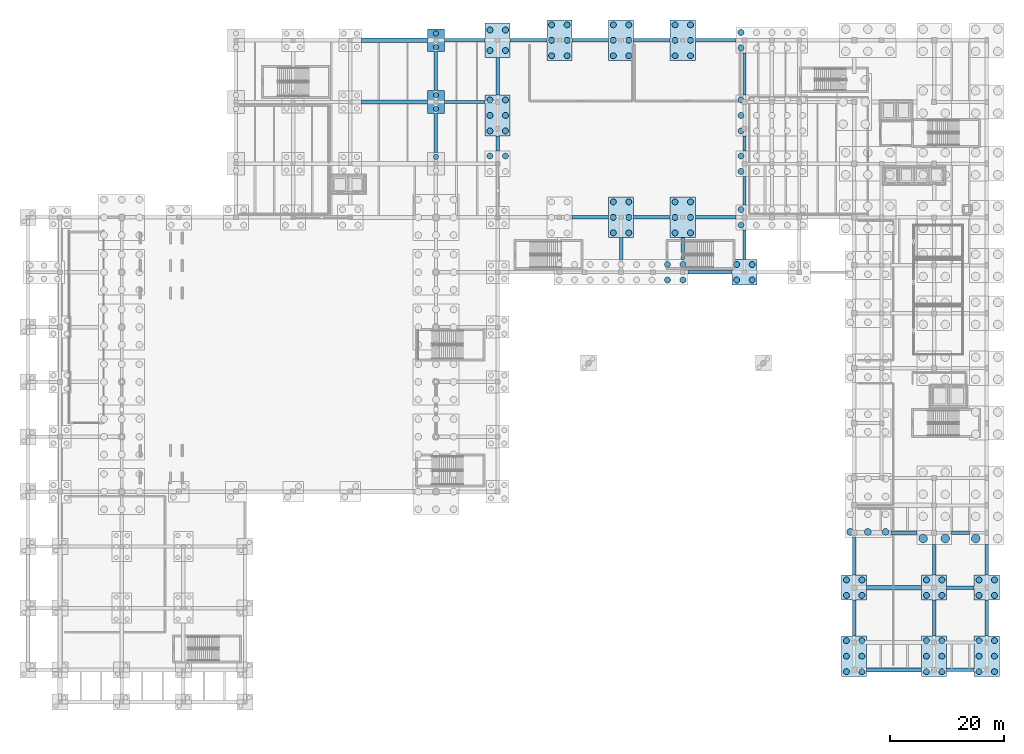
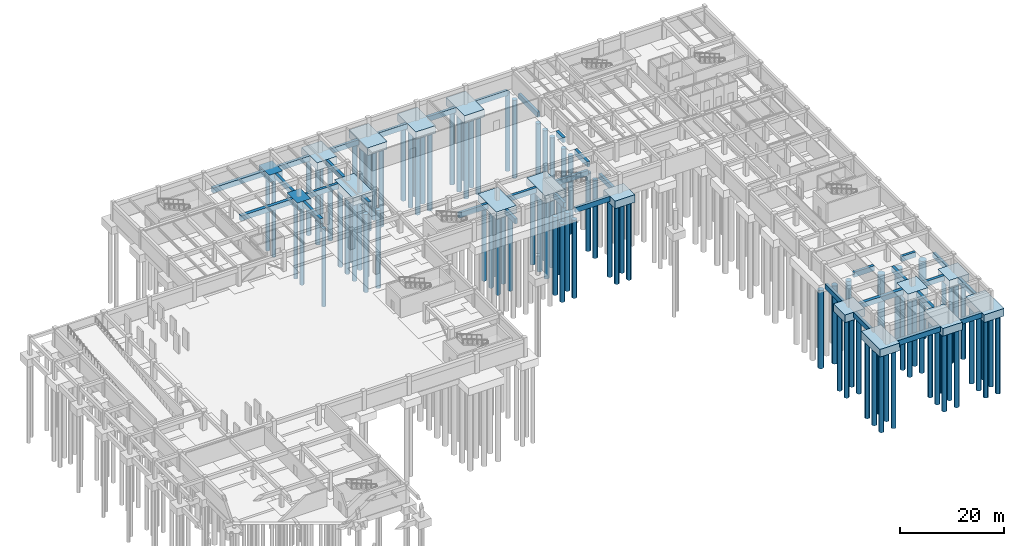
# One storey, part 4 of 33: 100 piles, 50 footings.
"""IFC4 building model written with IfcOpenShell, lengths in metres."""

from ifc_helpers import new_model, si_unit, direction, frame, origin, origin_2d, place, context, subcontext, project, spatial, rectangle, circle, extrude, material, material_profile, profile_set, type_object, element, save


model = new_model("IFC4")

# Units and contexts
model_context = context("Model", 3, precision=1e-05, world=origin(), true_north=direction((0.0, 1.0)))
body_context = subcontext(model_context, "Body", "Model", "MODEL_VIEW")
ifc_project = project(units=[si_unit("LENGTHUNIT", "METRE"), si_unit("AREAUNIT", "SQUARE_METRE"), si_unit("VOLUMEUNIT", "CUBIC_METRE"), si_unit("PLANEANGLEUNIT", "RADIAN"), si_unit("MASSUNIT", "GRAM", prefix="KILO")], contexts=[model_context])

# Site, building, storey
site_placement = place(None, origin())
site = spatial("IfcSite", under=ifc_project, at=site_placement, CompositionType="ELEMENT")
building_placement = place(site_placement, origin())
building = spatial("IfcBuilding", under=site, at=building_placement, Name="Veldera Park Congress Hotel", CompositionType="ELEMENT")
storey_placement = place(building_placement, frame((0.0, 0.0, -4.5)))
storey = spatial("IfcBuildingStorey", under=building, at=storey_placement, Name="B1", CompositionType="ELEMENT", Elevation=-4.5)

# Footings
ifc_material = material(Name="Concrete f'c 40 MPa (5,800 psi)", Category="concrete")
footing_type_1 = type_object("IfcFootingType", Name="FB-600X1200", PredefinedType="FOOTING_BEAM", material=ifc_material)
for number, where, z_axis, x_axis, name in (
    (1, (79.39990234375, -52.199951171875, -1.2001953125), (0.0, 0.0, 1.0), (1.0, 0.0, 0.0), "Foundation Tie Beam FB-600X1200 9"),
    (2, (79.39990234375, -37.800048828125, -1.2001953125), (0.0, 0.0, 1.0), (1.0, 0.0, 0.0), "Foundation Tie Beam FB-600X1200 15"),
):
    element("IfcFooting", number, at=place(storey_placement, frame(where, z_axis=z_axis, x_axis=x_axis)), inside=storey, type_object=footing_type_1, Name=name, PredefinedType="FOOTING_BEAM", context=body_context, shape_type="SweptSolid", body=[
        extrude(rectangle(XDim=4.800048828125, YDim=0.60009765625, at=origin_2d()), origin(), (0.0, 0.0, 1.0), 1.199951171875),
    ])
footing_1_placement = place(storey_placement, frame((69.5, -28.199951171875, -1.2001953125), z_axis=(0.0, 0.0, 1.0), x_axis=(1.0, 0.0, 0.0)))
element("IfcFooting", 3, at=footing_1_placement, inside=storey, type_object=footing_type_1, Name="Foundation Tie Beam FB-600X1200 20", PredefinedType="FOOTING_BEAM", context=body_context, shape_type="SweptSolid", body=[
    extrude(rectangle(XDim=4.550048828125, YDim=0.60009765625, at=origin_2d()), origin(), (0.0, 0.0, 1.0), 1.199951171875),
])
footing_2_placement = place(storey_placement, frame((79.39990234375, -28.199951171875, -1.2001953125), z_axis=(0.0, 0.0, 1.0), x_axis=(1.0, 0.0, 0.0)))
element("IfcFooting", 4, at=footing_2_placement, inside=storey, type_object=footing_type_1, Name="Foundation Tie Beam FB-600X1200 21", PredefinedType="FOOTING_BEAM", context=body_context, shape_type="SweptSolid", body=[
    extrude(rectangle(XDim=3.14990234375, YDim=0.60009765625, at=origin_2d()), origin(), (0.0, 0.0, 1.0), 1.199951171875),
])
footing_3_placement = place(storey_placement, frame((35.550048828125, 17.39990234375, -1.2001953125), z_axis=(0.0, 0.0, 1.0), x_axis=(1.0, 0.0, 0.0)))
element("IfcFooting", 5, at=footing_3_placement, inside=storey, type_object=footing_type_1, Name="Foundation Tie Beam FB-600X1200 46", PredefinedType="FOOTING_BEAM", context=body_context, shape_type="SweptSolid", body=[
    extrude(rectangle(XDim=7.699951171875, YDim=0.60009765625, at=origin_2d()), origin(), (0.0, 0.0, 1.0), 1.199951171875),
])
for number, where, z_axis, x_axis, name in (
    (6, (14.60009765625, 27.0, -1.2001953125), (0.0, 0.0, 1.0), (1.0, 0.0, 0.0), "Foundation Tie Beam FB-600X1200 59"),
    (7, (25.39990234375, 27.0, -1.2001953125), (0.0, 0.0, 1.0), (1.0, 0.0, 0.0), "Foundation Tie Beam FB-600X1200 60"),
):
    element("IfcFooting", number, at=place(storey_placement, frame(where, z_axis=z_axis, x_axis=x_axis)), inside=storey, type_object=footing_type_1, Name=name, PredefinedType="FOOTING_BEAM", context=body_context, shape_type="SweptSolid", body=[
        extrude(rectangle(XDim=6.39990234375, YDim=0.60009765625, at=origin_2d()), origin(), (0.0, 0.0, 1.0), 1.199951171875),
    ])
footing_4_placement = place(storey_placement, frame((36.5625, 27.0, -1.2001953125), z_axis=(0.0, 0.0, 1.0), x_axis=(1.0, 0.0, 0.0)))
element("IfcFooting", 8, at=footing_4_placement, inside=storey, type_object=footing_type_1, Name="Foundation Tie Beam FB-600X1200 61", PredefinedType="FOOTING_BEAM", context=body_context, shape_type="SweptSolid", body=[
    extrude(rectangle(XDim=7.125, YDim=0.60009765625, at=origin_2d()), origin(), (0.0, 0.0, 1.0), 1.199951171875),
])
for number, where, z_axis, x_axis, name in (
    (9, (-7.35009765625, 47.199951171875, -1.2001953125), (0.0, 0.0, 1.0), (1.0, 0.0, 0.0), "Foundation Tie Beam FB-600X1200 75"),
    (10, (-7.35009765625, 58.0, -1.2001953125), (0.0, 0.0, 1.0), (1.0, 0.0, 0.0), "Foundation Tie Beam FB-600X1200 82"),
):
    element("IfcFooting", number, at=place(storey_placement, frame(where, z_axis=z_axis, x_axis=x_axis)), inside=storey, type_object=footing_type_1, Name=name, PredefinedType="FOOTING_BEAM", context=body_context, shape_type="SweptSolid", body=[
        extrude(rectangle(XDim=7.10009765625, YDim=0.60009765625, at=origin_2d()), origin(), (0.0, 0.0, 1.0), 1.199951171875),
    ])
for number, where, z_axis, x_axis, name in (
    (11, (3.800048828125, 58.0, -1.2001953125), (0.0, 0.0, 1.0), (1.0, 0.0, 0.0), "Foundation Tie Beam FB-600X1200 83"),
    (12, (14.60009765625, 58.0, -1.2001953125), (0.0, 0.0, 1.0), (1.0, 0.0, 0.0), "Foundation Tie Beam FB-600X1200 84"),
    (13, (25.39990234375, 58.0, -1.2001953125), (0.0, 0.0, 1.0), (1.0, 0.0, 0.0), "Foundation Tie Beam FB-600X1200 85"),
):
    element("IfcFooting", number, at=place(storey_placement, frame(where, z_axis=z_axis, x_axis=x_axis)), inside=storey, type_object=footing_type_1, Name=name, PredefinedType="FOOTING_BEAM", context=body_context, shape_type="SweptSolid", body=[
        extrude(rectangle(XDim=6.39990234375, YDim=0.60009765625, at=origin_2d()), origin(), (0.0, 0.0, 1.0), 1.199951171875),
    ])
footing_5_placement = place(storey_placement, frame((36.5625, 58.0, -1.2001953125), z_axis=(0.0, 0.0, 1.0), x_axis=(1.0, 0.0, 0.0)))
element("IfcFooting", 14, at=footing_5_placement, inside=storey, type_object=footing_type_1, Name="Foundation Tie Beam FB-600X1200 86", PredefinedType="FOOTING_BEAM", context=body_context, shape_type="SweptSolid", body=[
    extrude(rectangle(XDim=7.125, YDim=0.60009765625, at=origin_2d()), origin(), (0.0, 0.0, 1.0), 1.199951171875),
])
for number, where, z_axis, x_axis, name in (
    (15, (-12.39990234375, 41.800048828125, -1.2001953125), (0.0, 0.0, 1.0), (0.0, 1.0, 0.0), "Foundation Tie Beam FB-600X1200 118"),
    (16, (-12.39990234375, 52.60009765625, -1.2001953125), (0.0, 0.0, 1.0), (0.0, 1.0, 0.0), "Foundation Tie Beam FB-600X1200 119"),
):
    element("IfcFooting", number, at=place(storey_placement, frame(where, z_axis=z_axis, x_axis=x_axis)), inside=storey, type_object=footing_type_1, Name=name, PredefinedType="FOOTING_BEAM", context=body_context, shape_type="SweptSolid", body=[
        extrude(rectangle(XDim=6.800048828125, YDim=0.60009765625, at=origin_2d()), origin(), (0.0, 0.0, 1.0), 1.199951171875),
    ])
footing_6_placement = place(storey_placement, frame((-1.60009765625, 39.9375, -1.2001953125), z_axis=(0.0, 0.0, 1.0), x_axis=(0.0, 1.0, 0.0)))
element("IfcFooting", 17, at=footing_6_placement, inside=storey, type_object=footing_type_1, Name="Foundation Tie Beam FB-600X1200 126", PredefinedType="FOOTING_BEAM", context=body_context, shape_type="SweptSolid", body=[
    extrude(rectangle(XDim=2.675048828125, YDim=0.60009765625, at=origin_2d()), origin(), (0.0, 0.0, 1.0), 1.199951171875),
])
footing_7_placement = place(storey_placement, frame((-1.60009765625, 51.71240234375, -1.2001953125), z_axis=(0.0, 0.0, 1.0), x_axis=(0.0, 1.0, 0.0)))
element("IfcFooting", 18, at=footing_7_placement, inside=storey, type_object=footing_type_1, Name="Foundation Tie Beam FB-600X1200 127", PredefinedType="FOOTING_BEAM", context=body_context, shape_type="SweptSolid", body=[
    extrude(rectangle(XDim=6.574951171875, YDim=0.60009765625, at=origin_2d()), origin(), (0.0, 0.0, 1.0), 1.199951171875),
])
for number, where, z_axis, x_axis, name in (
    (19, (20.0, 21.52490234375, -1.2001953125), (0.0, 0.0, 1.0), (0.0, 1.0, 0.0), "Foundation Tie Beam FB-600X1200 129"),
    (20, (30.800048828125, 21.52490234375, -1.2001953125), (0.0, 0.0, 1.0), (0.0, 1.0, 0.0), "Foundation Tie Beam FB-600X1200 130"),
):
    element("IfcFooting", number, at=place(storey_placement, frame(where, z_axis=z_axis, x_axis=x_axis)), inside=storey, type_object=footing_type_1, Name=name, PredefinedType="FOOTING_BEAM", context=body_context, shape_type="SweptSolid", body=[
        extrude(rectangle(XDim=3.85009765625, YDim=0.60009765625, at=origin_2d()), origin(), (0.0, 0.0, 1.0), 1.199951171875),
    ])
footing_8_placement = place(storey_placement, frame((41.60009765625, 22.199951171875, -1.2001953125), z_axis=(0.0, 0.0, 1.0), x_axis=(0.0, 1.0, 0.0)))
element("IfcFooting", 21, at=footing_8_placement, inside=storey, type_object=footing_type_1, Name="Foundation Tie Beam FB-600X1200 131", PredefinedType="FOOTING_BEAM", context=body_context, shape_type="SweptSolid", body=[
    extrude(rectangle(XDim=5.199951171875, YDim=0.60009765625, at=origin_2d()), origin(), (0.0, 0.0, 1.0), 1.199951171875),
])
footing_9_placement = place(storey_placement, frame((41.60009765625, 31.699951171875, -1.2001953125), z_axis=(0.0, 0.0, 1.0), x_axis=(0.0, 1.0, 0.0)))
element("IfcFooting", 22, at=footing_9_placement, inside=storey, type_object=footing_type_1, Name="Foundation Tie Beam FB-600X1200 132", PredefinedType="FOOTING_BEAM", context=body_context, shape_type="SweptSolid", body=[
    extrude(rectangle(XDim=5.0, YDim=0.60009765625, at=origin_2d()), origin(), (0.0, 0.0, 1.0), 1.199951171875),
])
footing_10_placement = place(storey_placement, frame((41.60009765625, 39.9375, -1.2001953125), z_axis=(0.0, 0.0, 1.0), x_axis=(0.0, 1.0, 0.0)))
element("IfcFooting", 23, at=footing_10_placement, inside=storey, type_object=footing_type_1, Name="Foundation Tie Beam FB-600X1200 133", PredefinedType="FOOTING_BEAM", context=body_context, shape_type="SweptSolid", body=[
    extrude(rectangle(XDim=2.675048828125, YDim=0.60009765625, at=origin_2d()), origin(), (0.0, 0.0, 1.0), 1.199951171875),
])
footing_11_placement = place(storey_placement, frame((41.60009765625, 52.112548828125, -1.2001953125), z_axis=(0.0, 0.0, 1.0), x_axis=(0.0, 1.0, 0.0)))
element("IfcFooting", 24, at=footing_11_placement, inside=storey, type_object=footing_type_1, Name="Foundation Tie Beam FB-600X1200 134", PredefinedType="FOOTING_BEAM", context=body_context, shape_type="SweptSolid", body=[
    extrude(rectangle(XDim=7.375, YDim=0.60009765625, at=origin_2d()), origin(), (0.0, 0.0, 1.0), 1.199951171875),
])
footing_12_placement = place(storey_placement, frame((60.800048828125, -43.112548828125, -1.2001953125), z_axis=(0.0, 0.0, 1.0), x_axis=(0.0, 1.0, 0.0)))
element("IfcFooting", 25, at=footing_12_placement, inside=storey, type_object=footing_type_1, Name="Foundation Tie Beam FB-600X1200 136", PredefinedType="FOOTING_BEAM", context=body_context, shape_type="SweptSolid", body=[
    extrude(rectangle(XDim=6.22509765625, YDim=0.60009765625, at=origin_2d()), origin(), (0.0, 0.0, 1.0), 1.199951171875),
])
footing_13_placement = place(storey_placement, frame((60.800048828125, -32.300048828125, -1.2001953125), z_axis=(0.0, 0.0, 1.0), x_axis=(0.0, 1.0, 0.0)))
element("IfcFooting", 26, at=footing_13_placement, inside=storey, type_object=footing_type_1, Name="Foundation Tie Beam FB-600X1200 137", PredefinedType="FOOTING_BEAM", context=body_context, shape_type="SweptSolid", body=[
    extrude(rectangle(XDim=6.60009765625, YDim=0.60009765625, at=origin_2d()), origin(), (0.0, 0.0, 1.0), 1.199951171875),
])
footing_14_placement = place(storey_placement, frame((74.800048828125, -43.112548828125, -1.2001953125), z_axis=(0.0, 0.0, 1.0), x_axis=(0.0, 1.0, 0.0)))
element("IfcFooting", 27, at=footing_14_placement, inside=storey, type_object=footing_type_1, Name="Foundation Tie Beam FB-600X1200 146", PredefinedType="FOOTING_BEAM", context=body_context, shape_type="SweptSolid", body=[
    extrude(rectangle(XDim=6.22509765625, YDim=0.60009765625, at=origin_2d()), origin(), (0.0, 0.0, 1.0), 1.199951171875),
])
footing_15_placement = place(storey_placement, frame((74.800048828125, -32.9375, -1.2001953125), z_axis=(0.0, 0.0, 1.0), x_axis=(0.0, 1.0, 0.0)))
element("IfcFooting", 28, at=footing_15_placement, inside=storey, type_object=footing_type_1, Name="Foundation Tie Beam FB-600X1200 147", PredefinedType="FOOTING_BEAM", context=body_context, shape_type="SweptSolid", body=[
    extrude(rectangle(XDim=5.324951171875, YDim=0.60009765625, at=origin_2d()), origin(), (0.0, 0.0, 1.0), 1.199951171875),
])
footing_16_placement = place(storey_placement, frame((84.0, -43.112548828125, -1.2001953125), z_axis=(0.0, 0.0, 1.0), x_axis=(0.0, 1.0, 0.0)))
element("IfcFooting", 29, at=footing_16_placement, inside=storey, type_object=footing_type_1, Name="Foundation Tie Beam FB-600X1200 154", PredefinedType="FOOTING_BEAM", context=body_context, shape_type="SweptSolid", body=[
    extrude(rectangle(XDim=6.22509765625, YDim=0.60009765625, at=origin_2d()), origin(), (0.0, 0.0, 1.0), 1.199951171875),
])
footing_17_placement = place(storey_placement, frame((84.0, -32.9375, -1.2001953125), z_axis=(0.0, 0.0, 1.0), x_axis=(0.0, 1.0, 0.0)))
element("IfcFooting", 30, at=footing_17_placement, inside=storey, type_object=footing_type_1, Name="Foundation Tie Beam FB-600X1200 155", PredefinedType="FOOTING_BEAM", context=body_context, shape_type="SweptSolid", body=[
    extrude(rectangle(XDim=5.324951171875, YDim=0.60009765625, at=origin_2d()), origin(), (0.0, 0.0, 1.0), 1.199951171875),
])
footing_type_2 = type_object("IfcFootingType", Name="FB-750X1200", PredefinedType="FOOTING_BEAM", material=ifc_material)
for number, where, z_axis, x_axis, name in (
    (31, (67.800048828125, -52.199951171875, -1.2001953125), (0.0, 0.0, 1.0), (1.0, 0.0, 0.0), "Foundation Tie Beam FB-750X1200 8"),
    (32, (67.800048828125, -37.800048828125, -1.2001953125), (0.0, 0.0, 1.0), (1.0, 0.0, 0.0), "Foundation Tie Beam FB-750X1200 14"),
):
    element("IfcFooting", number, at=place(storey_placement, frame(where, z_axis=z_axis, x_axis=x_axis)), inside=storey, type_object=footing_type_2, Name=name, PredefinedType="FOOTING_BEAM", context=body_context, shape_type="SweptSolid", body=[
        extrude(rectangle(XDim=9.60009765625, YDim=0.75, at=origin_2d()), origin(), (0.0, 0.0, 1.0), 1.199951171875),
    ])
for number, where, z_axis, x_axis, name in (
    (33, (-19.675048828125, 47.199951171875, -1.2001953125), (0.0, 0.0, 1.0), (1.0, 0.0, 0.0), "Foundation Tie Beam FB-750X1200 74"),
    (34, (-19.675048828125, 58.0, -1.2001953125), (0.0, 0.0, 1.0), (1.0, 0.0, 0.0), "Foundation Tie Beam FB-750X1200 81"),
):
    element("IfcFooting", number, at=place(storey_placement, frame(where, z_axis=z_axis, x_axis=x_axis)), inside=storey, type_object=footing_type_2, Name=name, PredefinedType="FOOTING_BEAM", context=body_context, shape_type="SweptSolid", body=[
        extrude(rectangle(XDim=11.550048828125, YDim=0.75, at=origin_2d()), origin(), (0.0, 0.0, 1.0), 1.199951171875),
    ])
footing_type_3 = type_object("IfcFootingType", Name="PC-300X400", PredefinedType="PILE_CAP", material=ifc_material)
for number, where, z_axis, x_axis, name in (
    (35, (-12.39990234375, 47.199951171875, -1.7998046875), (0.0, 0.0, 1.0), (1.0, 0.0, 0.0), "Pile Cap PC-300X400 at (-12.4, 47.2)"),
    (36, (-12.39990234375, 58.0, -1.7998046875), (0.0, 0.0, 1.0), (1.0, 0.0, 0.0), "Pile Cap PC-300X400 at (-12.4, 58.0)"),
):
    element("IfcFooting", number, at=place(storey_placement, frame(where, z_axis=z_axis, x_axis=x_axis)), inside=storey, type_object=footing_type_3, Name=name, PredefinedType="PILE_CAP", context=body_context, shape_type="SweptSolid", body=[
        extrude(rectangle(XDim=3.0, YDim=4.0, at=origin_2d()), origin(), (0.0, 0.0, 1.0), 1.800048828125),
    ])
footing_type_4 = type_object("IfcFootingType", Name="PC-440", PredefinedType="PILE_CAP", material=ifc_material)
for number, where, z_axis, x_axis, name in (
    (37, (41.60009765625, 17.39990234375, -1.7998046875), (0.0, 0.0, 1.0), (1.0, 0.0, 0.0), "Pile Cap PC-440 at (41.6, 17.4)"),
    (38, (60.800048828125, -37.800048828125, -1.7998046875), (0.0, 0.0, 1.0), (1.0, 0.0, 0.0), "Pile Cap PC-440 at (60.8, -37.8)"),
    (39, (74.800048828125, -37.800048828125, -1.7998046875), (0.0, 0.0, 1.0), (1.0, 0.0, 0.0), "Pile Cap PC-440 at (74.8, -37.8)"),
    (40, (84.0, -37.800048828125, -1.7998046875), (0.0, 0.0, 1.0), (1.0, 0.0, 0.0), "Pile Cap PC-440 at (84.0, -37.8)"),
):
    element("IfcFooting", number, at=place(storey_placement, frame(where, z_axis=z_axis, x_axis=x_axis)), inside=storey, type_object=footing_type_4, Name=name, PredefinedType="PILE_CAP", context=body_context, shape_type="SweptSolid", body=[
        extrude(rectangle(XDim=4.39990234375, YDim=4.39990234375, at=origin_2d()), origin(), (0.0, 0.0, 1.0), 1.800048828125),
    ])
footing_type_5 = type_object("IfcFootingType", Name="PC-440X600", PredefinedType="PILE_CAP", material=ifc_material)
footing_18_placement = place(storey_placement, frame((-1.60009765625, 58.0, -1.7998046875), z_axis=(0.0, 0.0, 1.0), x_axis=(1.0, 0.0, 0.0)))
element("IfcFooting", 41, at=footing_18_placement, inside=storey, type_object=footing_type_5, Name="Pile Cap PC-440X600 at (-1.6, 58.0)", PredefinedType="PILE_CAP", context=body_context, shape_type="SweptSolid", body=[
    extrude(rectangle(XDim=4.39990234375, YDim=6.0, at=origin_2d()), origin(), (0.0, 0.0, 1.0), 1.800048828125),
])
footing_type_6 = type_object("IfcFootingType", Name="PC-440X710", PredefinedType="PILE_CAP", material=ifc_material)
for number, where, z_axis, x_axis, name in (
    (42, (9.199951171875, 58.0, -1.7998046875), (0.0, 0.0, 1.0), (1.0, 0.0, 0.0), "Pile Cap PC-440X710 at (9.2, 58.0)"),
    (43, (20.0, 27.0, -1.7998046875), (0.0, 0.0, 1.0), (1.0, 0.0, 0.0), "Pile Cap PC-440X710 at (20.0, 27.0)"),
    (44, (20.0, 58.0, -1.7998046875), (0.0, 0.0, 1.0), (1.0, 0.0, 0.0), "Pile Cap PC-440X710 at (20.0, 58.0)"),
    (45, (30.800048828125, 27.0, -1.7998046875), (0.0, 0.0, 1.0), (1.0, 0.0, 0.0), "Pile Cap PC-440X710 at (30.8, 27.0)"),
    (46, (30.800048828125, 58.0, -1.7998046875), (0.0, 0.0, 1.0), (1.0, 0.0, 0.0), "Pile Cap PC-440X710 at (30.8, 58.0)"),
):
    element("IfcFooting", number, at=place(storey_placement, frame(where, z_axis=z_axis, x_axis=x_axis)), inside=storey, type_object=footing_type_6, Name=name, PredefinedType="PILE_CAP", context=body_context, shape_type="SweptSolid", body=[
        extrude(rectangle(XDim=4.39990234375, YDim=7.10009765625, at=origin_2d()), origin(), (0.0, 0.0, 1.0), 1.800048828125),
    ])
footing_type_7 = type_object("IfcFootingType", Name="PC-440X715", PredefinedType="PILE_CAP", material=ifc_material)
for number, where, z_axis, x_axis, name in (
    (47, (-1.60009765625, 44.85009765625, -1.7998046875), (0.0, 0.0, 1.0), (1.0, 0.0, 0.0), "Pile Cap PC-440X715 at (-1.6, 44.9)"),
    (48, (60.800048828125, -49.800048828125, -1.7998046875), (0.0, 0.0, 1.0), (1.0, 0.0, 0.0), "Pile Cap PC-440X715 at (60.8, -49.8)"),
    (49, (74.800048828125, -49.800048828125, -1.7998046875), (0.0, 0.0, 1.0), (1.0, 0.0, 0.0), "Pile Cap PC-440X715 at (74.8, -49.8)"),
    (50, (84.0, -49.800048828125, -1.7998046875), (0.0, 0.0, 1.0), (1.0, 0.0, 0.0), "Pile Cap PC-440X715 at (84.0, -49.8)"),
):
    element("IfcFooting", number, at=place(storey_placement, frame(where, z_axis=z_axis, x_axis=x_axis)), inside=storey, type_object=footing_type_7, Name=name, PredefinedType="PILE_CAP", context=body_context, shape_type="SweptSolid", body=[
        extrude(rectangle(XDim=4.39990234375, YDim=7.14990234375, at=origin_2d()), origin(), (0.0, 0.0, 1.0), 1.800048828125),
    ])

# Piles
ifc_material_profile_1 = material_profile(ifc_material, circle(Radius=0.52490234375, at=origin_2d()), Name="PILE D1050")
ifc_profile_set_1 = profile_set([ifc_material_profile_1], Name="Concrete f'c 40 MPa (5,800 psi)")
pile_type_1 = type_object("IfcPileType", Name="PIL-1050", PredefinedType="BORED", material=ifc_profile_set_1)
for number, where, z_axis, x_axis, name in (
    (51, (-2.95458984375, 37.75439453125, -1.64990234375), (0.0, 0.0, -1.0), (1.0, 0.0, 0.0), "Bored Pile PIL-1050 285"),
    (52, (-0.24560546875, 37.75439453125, -1.64990234375), (0.0, 0.0, -1.0), (1.0, 0.0, 0.0), "Bored Pile PIL-1050 286"),
    (53, (-2.95458984375, 42.14111328125, -1.64990234375), (0.0, 0.0, -1.0), (1.0, 0.0, 0.0), "Bored Pile PIL-1050 287"),
    (54, (-2.95458984375, 44.85009765625, -1.64990234375), (0.0, 0.0, -1.0), (1.0, 0.0, 0.0), "Bored Pile PIL-1050 288"),
    (55, (-2.95458984375, 47.55908203125, -1.64990234375), (0.0, 0.0, -1.0), (1.0, 0.0, 0.0), "Bored Pile PIL-1050 289"),
    (56, (-0.24560546875, 42.14111328125, -1.64990234375), (0.0, 0.0, -1.0), (1.0, 0.0, 0.0), "Bored Pile PIL-1050 290"),
    (57, (-0.24560546875, 44.85009765625, -1.64990234375), (0.0, 0.0, -1.0), (1.0, 0.0, 0.0), "Bored Pile PIL-1050 291"),
    (58, (-0.24560546875, 47.55908203125, -1.64990234375), (0.0, 0.0, -1.0), (1.0, 0.0, 0.0), "Bored Pile PIL-1050 292"),
    (59, (-2.95458984375, 56.199951171875, -1.64990234375), (0.0, 0.0, -1.0), (1.0, 0.0, 0.0), "Bored Pile PIL-1050 293"),
    (60, (-0.24560546875, 56.199951171875, -1.64990234375), (0.0, 0.0, -1.0), (1.0, 0.0, 0.0), "Bored Pile PIL-1050 294"),
    (61, (-2.95458984375, 59.800048828125, -1.64990234375), (0.0, 0.0, -1.0), (1.0, 0.0, 0.0), "Bored Pile PIL-1050 295"),
    (62, (-0.24560546875, 59.800048828125, -1.64990234375), (0.0, 0.0, -1.0), (1.0, 0.0, 0.0), "Bored Pile PIL-1050 296"),
    (63, (28.126953125, 16.04541015625, -1.64990234375), (0.0, 0.0, -1.0), (1.0, 0.0, 0.0), "Bored Pile PIL-1050 311"),
    (64, (28.126953125, 18.75439453125, -1.64990234375), (0.0, 0.0, -1.0), (1.0, 0.0, 0.0), "Bored Pile PIL-1050 312"),
    (65, (30.8359375, 16.04541015625, -1.64990234375), (0.0, 0.0, -1.0), (1.0, 0.0, 0.0), "Bored Pile PIL-1050 313"),
    (66, (30.8359375, 18.75439453125, -1.64990234375), (0.0, 0.0, -1.0), (1.0, 0.0, 0.0), "Bored Pile PIL-1050 314"),
    (67, (7.845458984375, 55.291015625, -1.64990234375), (0.0, 0.0, -1.0), (1.0, 0.0, 0.0), "Bored Pile PIL-1050 321"),
    (68, (10.554443359375, 55.291015625, -1.64990234375), (0.0, 0.0, -1.0), (1.0, 0.0, 0.0), "Bored Pile PIL-1050 322"),
    (69, (7.845458984375, 58.0, -1.64990234375), (0.0, 0.0, -1.0), (1.0, 0.0, 0.0), "Bored Pile PIL-1050 323"),
    (70, (10.554443359375, 58.0, -1.64990234375), (0.0, 0.0, -1.0), (1.0, 0.0, 0.0), "Bored Pile PIL-1050 324"),
    (71, (7.845458984375, 60.708984375, -1.64990234375), (0.0, 0.0, -1.0), (1.0, 0.0, 0.0), "Bored Pile PIL-1050 325"),
    (72, (10.554443359375, 60.708984375, -1.64990234375), (0.0, 0.0, -1.0), (1.0, 0.0, 0.0), "Bored Pile PIL-1050 326"),
    (73, (18.6455078125, 24.291015625, -1.64990234375), (0.0, 0.0, -1.0), (1.0, 0.0, 0.0), "Bored Pile PIL-1050 329"),
    (74, (21.3544921875, 24.291015625, -1.64990234375), (0.0, 0.0, -1.0), (1.0, 0.0, 0.0), "Bored Pile PIL-1050 330"),
    (75, (18.6455078125, 27.0, -1.64990234375), (0.0, 0.0, -1.0), (1.0, 0.0, 0.0), "Bored Pile PIL-1050 331"),
    (76, (21.3544921875, 27.0, -1.64990234375), (0.0, 0.0, -1.0), (1.0, 0.0, 0.0), "Bored Pile PIL-1050 332"),
    (77, (18.6455078125, 29.708984375, -1.64990234375), (0.0, 0.0, -1.0), (1.0, 0.0, 0.0), "Bored Pile PIL-1050 333"),
    (78, (21.3544921875, 29.708984375, -1.64990234375), (0.0, 0.0, -1.0), (1.0, 0.0, 0.0), "Bored Pile PIL-1050 334"),
    (79, (18.6455078125, 55.291015625, -1.64990234375), (0.0, 0.0, -1.0), (1.0, 0.0, 0.0), "Bored Pile PIL-1050 335"),
    (80, (21.3544921875, 55.291015625, -1.64990234375), (0.0, 0.0, -1.0), (1.0, 0.0, 0.0), "Bored Pile PIL-1050 336"),
    (81, (18.6455078125, 58.0, -1.64990234375), (0.0, 0.0, -1.0), (1.0, 0.0, 0.0), "Bored Pile PIL-1050 337"),
    (82, (21.3544921875, 58.0, -1.64990234375), (0.0, 0.0, -1.0), (1.0, 0.0, 0.0), "Bored Pile PIL-1050 338"),
    (83, (18.6455078125, 60.708984375, -1.64990234375), (0.0, 0.0, -1.0), (1.0, 0.0, 0.0), "Bored Pile PIL-1050 339"),
    (84, (21.3544921875, 60.708984375, -1.64990234375), (0.0, 0.0, -1.0), (1.0, 0.0, 0.0), "Bored Pile PIL-1050 340"),
    (85, (29.445556640625, 24.291015625, -1.64990234375), (0.0, 0.0, -1.0), (1.0, 0.0, 0.0), "Bored Pile PIL-1050 341"),
    (86, (32.154541015625, 24.291015625, -1.64990234375), (0.0, 0.0, -1.0), (1.0, 0.0, 0.0), "Bored Pile PIL-1050 342"),
    (87, (29.445556640625, 27.0, -1.64990234375), (0.0, 0.0, -1.0), (1.0, 0.0, 0.0), "Bored Pile PIL-1050 343"),
    (88, (32.154541015625, 27.0, -1.64990234375), (0.0, 0.0, -1.0), (1.0, 0.0, 0.0), "Bored Pile PIL-1050 344"),
    (89, (29.445556640625, 29.708984375, -1.64990234375), (0.0, 0.0, -1.0), (1.0, 0.0, 0.0), "Bored Pile PIL-1050 345"),
    (90, (32.154541015625, 29.708984375, -1.64990234375), (0.0, 0.0, -1.0), (1.0, 0.0, 0.0), "Bored Pile PIL-1050 346"),
    (91, (29.445556640625, 55.291015625, -1.64990234375), (0.0, 0.0, -1.0), (1.0, 0.0, 0.0), "Bored Pile PIL-1050 347"),
    (92, (32.154541015625, 55.291015625, -1.64990234375), (0.0, 0.0, -1.0), (1.0, 0.0, 0.0), "Bored Pile PIL-1050 348"),
    (93, (29.445556640625, 58.0, -1.64990234375), (0.0, 0.0, -1.0), (1.0, 0.0, 0.0), "Bored Pile PIL-1050 349"),
    (94, (32.154541015625, 58.0, -1.64990234375), (0.0, 0.0, -1.0), (1.0, 0.0, 0.0), "Bored Pile PIL-1050 350"),
    (95, (29.445556640625, 60.708984375, -1.64990234375), (0.0, 0.0, -1.0), (1.0, 0.0, 0.0), "Bored Pile PIL-1050 351"),
    (96, (32.154541015625, 60.708984375, -1.64990234375), (0.0, 0.0, -1.0), (1.0, 0.0, 0.0), "Bored Pile PIL-1050 352"),
    (97, (40.24560546875, 16.04541015625, -1.64990234375), (0.0, 0.0, -1.0), (1.0, 0.0, 0.0), "Bored Pile PIL-1050 353"),
    (98, (42.95458984375, 16.04541015625, -1.64990234375), (0.0, 0.0, -1.0), (1.0, 0.0, 0.0), "Bored Pile PIL-1050 354"),
    (99, (40.24560546875, 18.75439453125, -1.64990234375), (0.0, 0.0, -1.0), (1.0, 0.0, 0.0), "Bored Pile PIL-1050 355"),
    (100, (42.95458984375, 18.75439453125, -1.64990234375), (0.0, 0.0, -1.0), (1.0, 0.0, 0.0), "Bored Pile PIL-1050 356"),
    (101, (40.98193359375, 25.6455078125, -1.64990234375), (0.0, 0.0, -1.0), (1.0, 0.0, 0.0), "Bored Pile PIL-1050 357"),
    (102, (40.98193359375, 28.3544921875, -1.64990234375), (0.0, 0.0, -1.0), (1.0, 0.0, 0.0), "Bored Pile PIL-1050 358"),
    (103, (40.98193359375, 35.04541015625, -1.64990234375), (0.0, 0.0, -1.0), (1.0, 0.0, 0.0), "Bored Pile PIL-1050 367"),
    (104, (40.98193359375, 37.75439453125, -1.64990234375), (0.0, 0.0, -1.0), (1.0, 0.0, 0.0), "Bored Pile PIL-1050 368"),
    (105, (40.98193359375, 42.14111328125, -1.64990234375), (0.0, 0.0, -1.0), (1.0, 0.0, 0.0), "Bored Pile PIL-1050 377"),
    (106, (40.98193359375, 44.85009765625, -1.64990234375), (0.0, 0.0, -1.0), (1.0, 0.0, 0.0), "Bored Pile PIL-1050 378"),
    (107, (40.98193359375, 47.55908203125, -1.64990234375), (0.0, 0.0, -1.0), (1.0, 0.0, 0.0), "Bored Pile PIL-1050 379"),
    (108, (40.98193359375, 56.6455078125, -1.64990234375), (0.0, 0.0, -1.0), (1.0, 0.0, 0.0), "Bored Pile PIL-1050 392"),
    (109, (40.98193359375, 59.3544921875, -1.64990234375), (0.0, 0.0, -1.0), (1.0, 0.0, 0.0), "Bored Pile PIL-1050 393"),
    (110, (59.445556640625, -52.509033203125, -1.64990234375), (0.0, 0.0, -1.0), (1.0, 0.0, 0.0), "Bored Pile PIL-1050 408"),
    (111, (59.445556640625, -49.800048828125, -1.64990234375), (0.0, 0.0, -1.0), (1.0, 0.0, 0.0), "Bored Pile PIL-1050 409"),
    (112, (59.445556640625, -47.091064453125, -1.64990234375), (0.0, 0.0, -1.0), (1.0, 0.0, 0.0), "Bored Pile PIL-1050 410"),
    (113, (62.154541015625, -52.509033203125, -1.64990234375), (0.0, 0.0, -1.0), (1.0, 0.0, 0.0), "Bored Pile PIL-1050 411"),
    (114, (62.154541015625, -49.800048828125, -1.64990234375), (0.0, 0.0, -1.0), (1.0, 0.0, 0.0), "Bored Pile PIL-1050 412"),
    (115, (62.154541015625, -47.091064453125, -1.64990234375), (0.0, 0.0, -1.0), (1.0, 0.0, 0.0), "Bored Pile PIL-1050 413"),
    (116, (59.445556640625, -39.154541015625, -1.64990234375), (0.0, 0.0, -1.0), (1.0, 0.0, 0.0), "Bored Pile PIL-1050 414"),
    (117, (62.154541015625, -39.154541015625, -1.64990234375), (0.0, 0.0, -1.0), (1.0, 0.0, 0.0), "Bored Pile PIL-1050 415"),
    (118, (59.445556640625, -36.445556640625, -1.64990234375), (0.0, 0.0, -1.0), (1.0, 0.0, 0.0), "Bored Pile PIL-1050 416"),
    (119, (62.154541015625, -36.445556640625, -1.64990234375), (0.0, 0.0, -1.0), (1.0, 0.0, 0.0), "Bored Pile PIL-1050 417"),
    (120, (73.445556640625, -52.509033203125, -1.64990234375), (0.0, 0.0, -1.0), (1.0, 0.0, 0.0), "Bored Pile PIL-1050 478"),
    (121, (73.445556640625, -49.800048828125, -1.64990234375), (0.0, 0.0, -1.0), (1.0, 0.0, 0.0), "Bored Pile PIL-1050 479"),
    (122, (73.445556640625, -47.091064453125, -1.64990234375), (0.0, 0.0, -1.0), (1.0, 0.0, 0.0), "Bored Pile PIL-1050 480"),
    (123, (76.154541015625, -52.509033203125, -1.64990234375), (0.0, 0.0, -1.0), (1.0, 0.0, 0.0), "Bored Pile PIL-1050 481"),
    (124, (76.154541015625, -49.800048828125, -1.64990234375), (0.0, 0.0, -1.0), (1.0, 0.0, 0.0), "Bored Pile PIL-1050 482"),
    (125, (76.154541015625, -47.091064453125, -1.64990234375), (0.0, 0.0, -1.0), (1.0, 0.0, 0.0), "Bored Pile PIL-1050 483"),
    (126, (73.445556640625, -39.154541015625, -1.64990234375), (0.0, 0.0, -1.0), (1.0, 0.0, 0.0), "Bored Pile PIL-1050 484"),
    (127, (76.154541015625, -39.154541015625, -1.64990234375), (0.0, 0.0, -1.0), (1.0, 0.0, 0.0), "Bored Pile PIL-1050 485"),
    (128, (73.445556640625, -36.445556640625, -1.64990234375), (0.0, 0.0, -1.0), (1.0, 0.0, 0.0), "Bored Pile PIL-1050 486"),
    (129, (76.154541015625, -36.445556640625, -1.64990234375), (0.0, 0.0, -1.0), (1.0, 0.0, 0.0), "Bored Pile PIL-1050 487"),
    (130, (82.6455078125, -52.509033203125, -1.64990234375), (0.0, 0.0, -1.0), (1.0, 0.0, 0.0), "Bored Pile PIL-1050 524"),
    (131, (82.6455078125, -49.800048828125, -1.64990234375), (0.0, 0.0, -1.0), (1.0, 0.0, 0.0), "Bored Pile PIL-1050 525"),
    (132, (82.6455078125, -47.091064453125, -1.64990234375), (0.0, 0.0, -1.0), (1.0, 0.0, 0.0), "Bored Pile PIL-1050 526"),
    (133, (85.3544921875, -52.509033203125, -1.64990234375), (0.0, 0.0, -1.0), (1.0, 0.0, 0.0), "Bored Pile PIL-1050 527"),
    (134, (85.3544921875, -49.800048828125, -1.64990234375), (0.0, 0.0, -1.0), (1.0, 0.0, 0.0), "Bored Pile PIL-1050 528"),
    (135, (85.3544921875, -47.091064453125, -1.64990234375), (0.0, 0.0, -1.0), (1.0, 0.0, 0.0), "Bored Pile PIL-1050 529"),
    (136, (82.6455078125, -39.154541015625, -1.64990234375), (0.0, 0.0, -1.0), (1.0, 0.0, 0.0), "Bored Pile PIL-1050 530"),
    (137, (85.3544921875, -39.154541015625, -1.64990234375), (0.0, 0.0, -1.0), (1.0, 0.0, 0.0), "Bored Pile PIL-1050 531"),
    (138, (82.6455078125, -36.445556640625, -1.64990234375), (0.0, 0.0, -1.0), (1.0, 0.0, 0.0), "Bored Pile PIL-1050 532"),
    (139, (85.3544921875, -36.445556640625, -1.64990234375), (0.0, 0.0, -1.0), (1.0, 0.0, 0.0), "Bored Pile PIL-1050 533"),
):
    element("IfcPile", number, at=place(storey_placement, frame(where, z_axis=z_axis, x_axis=x_axis)), inside=storey, type_object=pile_type_1, Name=name, PredefinedType="BORED", context=body_context, shape_type="SweptSolid", body=[
        extrude(circle(Radius=0.52490234375, at=origin_2d()), origin(), (0.0, 0.0, 1.0), 18.35009765625),
    ])
ifc_material_profile_2 = material_profile(ifc_material, circle(Radius=0.60009765625, at=origin_2d()), Name="PILE D1200")
ifc_profile_set_2 = profile_set([ifc_material_profile_2], Name="Concrete f'c 40 MPa (5,800 psi)")
pile_type_2 = type_object("IfcPileType", Name="PIL-1200", PredefinedType="BORED", material=ifc_profile_set_2)
for number, where, z_axis, x_axis, name in (
    (140, (60.10400390625, -28.0439453125, -1.64990234375), (0.0, 0.0, -1.0), (1.0, 0.0, 0.0), "Bored Pile PIL-1200 418"),
    (141, (63.199951171875, -28.0439453125, -1.64990234375), (0.0, 0.0, -1.0), (1.0, 0.0, 0.0), "Bored Pile PIL-1200 422"),
    (142, (66.2958984375, -28.0439453125, -1.64990234375), (0.0, 0.0, -1.0), (1.0, 0.0, 0.0), "Bored Pile PIL-1200 426"),
):
    element("IfcPile", number, at=place(storey_placement, frame(where, z_axis=z_axis, x_axis=x_axis)), inside=storey, type_object=pile_type_2, Name=name, PredefinedType="BORED", context=body_context, shape_type="SweptSolid", body=[
        extrude(circle(Radius=0.60009765625, at=origin_2d()), origin(), (0.0, 0.0, 1.0), 18.35009765625),
    ])
ifc_material_profile_3 = material_profile(ifc_material, circle(Radius=0.75, at=origin_2d()), Name="PILE D1500")
ifc_profile_set_3 = profile_set([ifc_material_profile_3], Name="Concrete f'c 40 MPa (5,800 psi)")
pile_type_3 = type_object("IfcPileType", Name="PIL-1500", PredefinedType="BORED", material=ifc_profile_set_3)
for number, where, z_axis, x_axis, name in (
    (143, (72.864990234375, -29.205078125, -1.64990234375), (0.0, 0.0, -1.0), (1.0, 0.0, 0.0), "Bored Pile PIL-1500 488"),
    (144, (76.735107421875, -29.205078125, -1.64990234375), (0.0, 0.0, -1.0), (1.0, 0.0, 0.0), "Bored Pile PIL-1500 492"),
    (145, (82.06494140625, -29.205078125, -1.64990234375), (0.0, 0.0, -1.0), (1.0, 0.0, 0.0), "Bored Pile PIL-1500 534"),
):
    element("IfcPile", number, at=place(storey_placement, frame(where, z_axis=z_axis, x_axis=x_axis)), inside=storey, type_object=pile_type_3, Name=name, PredefinedType="BORED", context=body_context, shape_type="SweptSolid", body=[
        extrude(circle(Radius=0.75, at=origin_2d()), origin(), (0.0, 0.0, 1.0), 18.35009765625),
    ])
ifc_material_profile_4 = material_profile(ifc_material, circle(Radius=0.449951171875, at=origin_2d()), Name="PILE D900")
ifc_profile_set_4 = profile_set([ifc_material_profile_4], Name="Concrete f'c 40 MPa (5,800 psi)")
pile_type_4 = type_object("IfcPileType", Name="PIL-900", PredefinedType="BORED", material=ifc_profile_set_4)
for number, where, z_axis, x_axis, name in (
    (146, (-12.39990234375, 37.60009765625, -1.64990234375), (0.0, 0.0, -1.0), (1.0, 0.0, 0.0), "Bored Pile PIL-900 254"),
    (147, (-12.39990234375, 46.0, -1.64990234375), (0.0, 0.0, -1.0), (1.0, 0.0, 0.0), "Bored Pile PIL-900 255"),
    (148, (-12.39990234375, 48.39990234375, -1.64990234375), (0.0, 0.0, -1.0), (1.0, 0.0, 0.0), "Bored Pile PIL-900 256"),
    (149, (-12.39990234375, 56.800048828125, -1.64990234375), (0.0, 0.0, -1.0), (1.0, 0.0, 0.0), "Bored Pile PIL-900 257"),
    (150, (-12.39990234375, 59.199951171875, -1.64990234375), (0.0, 0.0, -1.0), (1.0, 0.0, 0.0), "Bored Pile PIL-900 258"),
):
    element("IfcPile", number, at=place(storey_placement, frame(where, z_axis=z_axis, x_axis=x_axis)), inside=storey, type_object=pile_type_4, Name=name, PredefinedType="BORED", context=body_context, shape_type="SweptSolid", body=[
        extrude(circle(Radius=0.449951171875, at=origin_2d()), origin(), (0.0, 0.0, 1.0), 18.35009765625),
    ])

save(model, "model.ifc")
